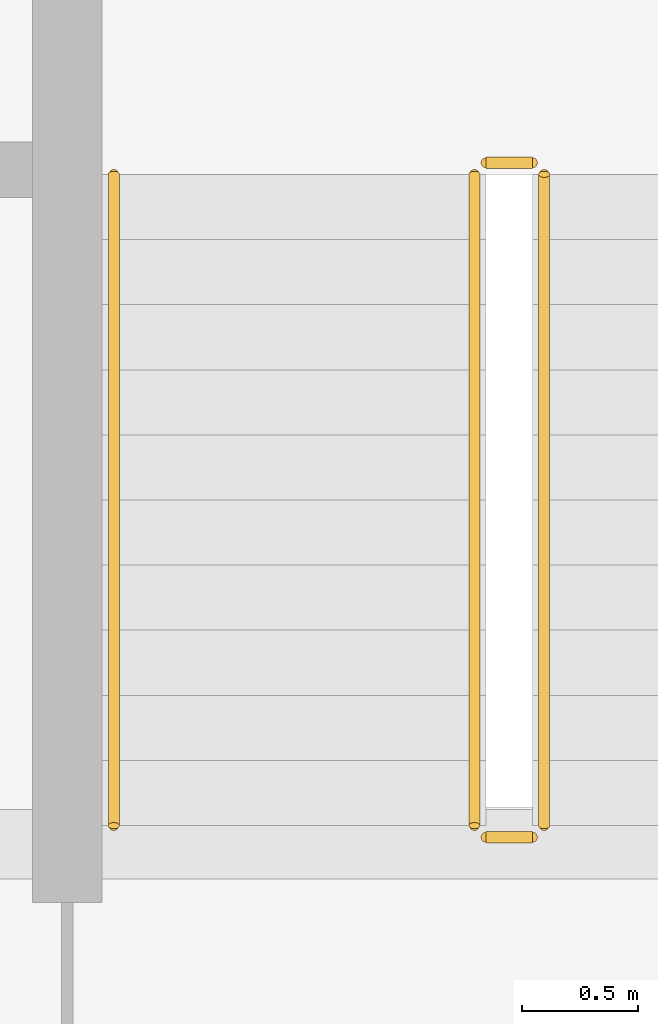
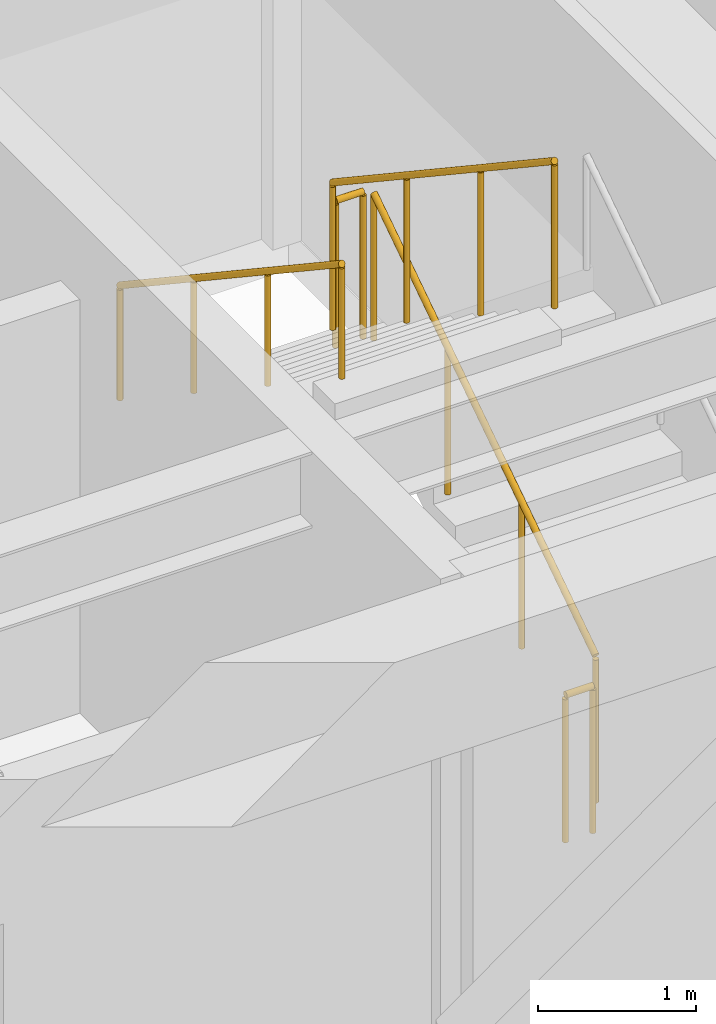
# One storey, part 32 of 33: 5 railings.
"""IFC4 building model written with IfcOpenShell, lengths in metres."""

from ifc_helpers import new_model, si_unit, direction, frame, origin, origin_2d, place, context, subcontext, project, spatial, circle, extrude, source, transform, mapped, material, type_object, type_shapes, element, save


model = new_model("IFC4")

# Units and contexts
model_context = context("Model", 3, precision=1e-05, world=origin(), true_north=direction((0.0, 1.0)))
body_context = subcontext(model_context, "Body", "Model", "MODEL_VIEW")
ifc_project = project(units=[si_unit("LENGTHUNIT", "METRE"), si_unit("AREAUNIT", "SQUARE_METRE"), si_unit("VOLUMEUNIT", "CUBIC_METRE"), si_unit("PLANEANGLEUNIT", "RADIAN"), si_unit("MASSUNIT", "GRAM", prefix="KILO")], contexts=[model_context])

# Site, building, storey
site_placement = place(None, origin())
site = spatial("IfcSite", under=ifc_project, at=site_placement, CompositionType="ELEMENT")
building_placement = place(site_placement, origin())
building = spatial("IfcBuilding", under=site, at=building_placement, Name="Haelvirn Gate Laboratories", CompositionType="ELEMENT")
storey_placement = place(building_placement, frame((0.0, 0.0, 166.60009765625)))
storey = spatial("IfcBuildingStorey", under=building, at=storey_placement, Name="L40", CompositionType="ELEMENT", Elevation=166.60009765625)

# Railings
ifc_material_1 = material(Name="Galvanised steel SM355 & stainless top rail", Category="steel")
railing_type_1 = type_object("IfcRailingType", Name="RL-GUARD-1150", PredefinedType="GUARDRAIL", material=ifc_material_1)
shared_shape_1 = source(origin(), body_context, "Body", "SweptSolid", [
    extrude(circle(Radius=0.02392578125, at=origin_2d()), frame((0.0, 0.0, 1.1259765625), z_axis=(0.0, 0.832485552168, 0.554046753832), x_axis=(-1.0, 0.0, 0.0)), (0.0, 0.0, 1.0), 3.363525390625),
    extrude(circle(Radius=0.02099609375, at=origin_2d()), origin(), (0.0, 0.0, 1.0), 1.101806640625),
    extrude(circle(Radius=0.02099609375, at=origin_2d()), frame((0.0, 0.933349609375, 0.62109375)), (0.0, 0.0, 1.0), 1.101806640625),
    extrude(circle(Radius=0.02099609375, at=origin_2d()), frame((0.0, 1.86669921875, 1.242431640625)), (0.0, 0.0, 1.0), 1.101806640625),
    extrude(circle(Radius=0.02099609375, at=origin_2d()), frame((0.0, 2.800048828125, 1.863525390625)), (0.0, 0.0, 1.0), 1.101806640625),
])
railing_1_placement = place(storey_placement, frame((65.39990234375, 26.699951171875, 0.186279296875)))
element("IfcRailing", 1, at=railing_1_placement, inside=storey, type_object=railing_type_1, Name="L40 ST2 stair guard 1", PredefinedType="GUARDRAIL", context=body_context, shape_type="MappedRepresentation", body=[
    mapped(shared_shape_1, transform((0.0, 0.0, 0.0), scale=1.0)),
])
shared_shape_2 = source(origin(), body_context, "Body", "SweptSolid", [
    extrude(circle(Radius=0.02392578125, at=origin_2d()), frame((0.0, 0.0, 1.1259765625), z_axis=(0.0, -0.832485552168, 0.554046753832), x_axis=(1.0, 0.0, 0.0)), (0.0, 0.0, 1.0), 3.363525390625),
    extrude(circle(Radius=0.02099609375, at=origin_2d()), origin(), (0.0, 0.0, 1.0), 1.101806640625),
    extrude(circle(Radius=0.02099609375, at=origin_2d()), frame((0.0, -0.933349609375, 0.62109375)), (0.0, 0.0, 1.0), 1.101806640625),
    extrude(circle(Radius=0.02099609375, at=origin_2d()), frame((0.0, -1.86669921875, 1.242431640625)), (0.0, 0.0, 1.0), 1.101806640625),
    extrude(circle(Radius=0.02099609375, at=origin_2d()), frame((0.0, -2.800048828125, 1.863525390625)), (0.0, 0.0, 1.0), 1.101806640625),
])
railing_2_placement = place(storey_placement, frame((65.10009765625, 29.5, 2.236328125)))
element("IfcRailing", 2, at=railing_2_placement, inside=storey, type_object=railing_type_1, Name="L40 ST2 stair guard 3", PredefinedType="GUARDRAIL", context=body_context, shape_type="MappedRepresentation", body=[
    mapped(shared_shape_2, transform((0.0, 0.0, 0.0), scale=1.0)),
])
ifc_material_2 = material(Name="Brushed stainless steel 316L", Category="steel")
railing_type_2 = type_object("IfcRailingType", Name="RL-HAND-920", PredefinedType="HANDRAIL", material=ifc_material_2)
shared_shape_3 = source(origin(), body_context, "Body", "SweptSolid", [
    extrude(circle(Radius=0.02392578125, at=origin_2d()), frame((0.0, 0.0, 0.8759765625), z_axis=(0.0, -0.832485552168, 0.554046753832), x_axis=(1.0, 0.0, 0.0)), (0.0, 0.0, 1.0), 3.363525390625),
    extrude(circle(Radius=0.02099609375, at=origin_2d()), origin(), (0.0, 0.0, 1.0), 0.851806640625),
    extrude(circle(Radius=0.02099609375, at=origin_2d()), frame((0.0, -0.933349609375, 0.62109375)), (0.0, 0.0, 1.0), 0.851806640625),
    extrude(circle(Radius=0.02099609375, at=origin_2d()), frame((0.0, -1.86669921875, 1.242431640625)), (0.0, 0.0, 1.0), 0.851806640625),
    extrude(circle(Radius=0.02099609375, at=origin_2d()), frame((0.0, -2.800048828125, 1.863525390625)), (0.0, 0.0, 1.0), 0.851806640625),
])
type_shapes(railing_type_2, [shared_shape_3])
railing_3_placement = place(storey_placement, frame((63.550048828125, 29.5, 2.236328125)))
element("IfcRailing", 3, at=railing_3_placement, inside=storey, type_object=railing_type_2, Name="L40 ST2 stair handrail 2", PredefinedType="HANDRAIL", context=body_context, shape_type="MappedRepresentation", body=[
    mapped(shared_shape_3, transform((0.0, 0.0, 0.0), scale=1.0)),
])
shared_shape_4 = source(origin(), body_context, "Body", "SweptSolid", [
    extrude(circle(Radius=0.02392578125, at=origin_2d()), frame((0.0, 0.0, 1.1259765625), z_axis=(-1.0, 0.0, 0.0), x_axis=(0.0, -1.0, 0.0)), (0.0, 0.0, 1.0), 0.2001953125),
    extrude(circle(Radius=0.02099609375, at=origin_2d()), origin(), (0.0, 0.0, 1.0), 1.101806640625),
    extrude(circle(Radius=0.02099609375, at=origin_2d()), frame((-0.2001953125, 0.0, 0.0)), (0.0, 0.0, 1.0), 1.101806640625),
])
type_shapes(railing_type_1, [shared_shape_1, shared_shape_2, shared_shape_4])
for number, where, name in (
    (4, (65.35009765625, 29.550048828125, 2.0498046875), "L40 ST2 stair guard 2"),
    (5, (65.35009765625, 26.64990234375, 0.0), "L40 ST2 stair guard 4"),
):
    element("IfcRailing", number, at=place(storey_placement, frame(where)), inside=storey, type_object=railing_type_1, Name=name, PredefinedType="GUARDRAIL", context=body_context, shape_type="MappedRepresentation", body=[
        mapped(shared_shape_4, transform((0.0, 0.0, 0.0), scale=1.0)),
    ])

save(model, "model.ifc")
